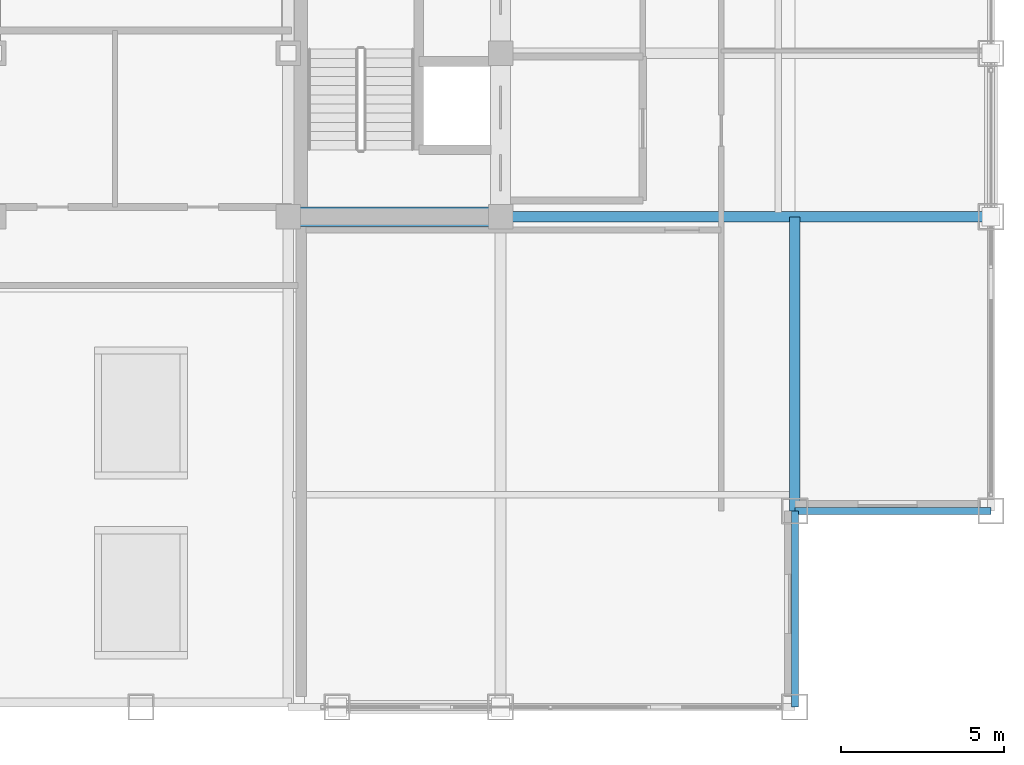
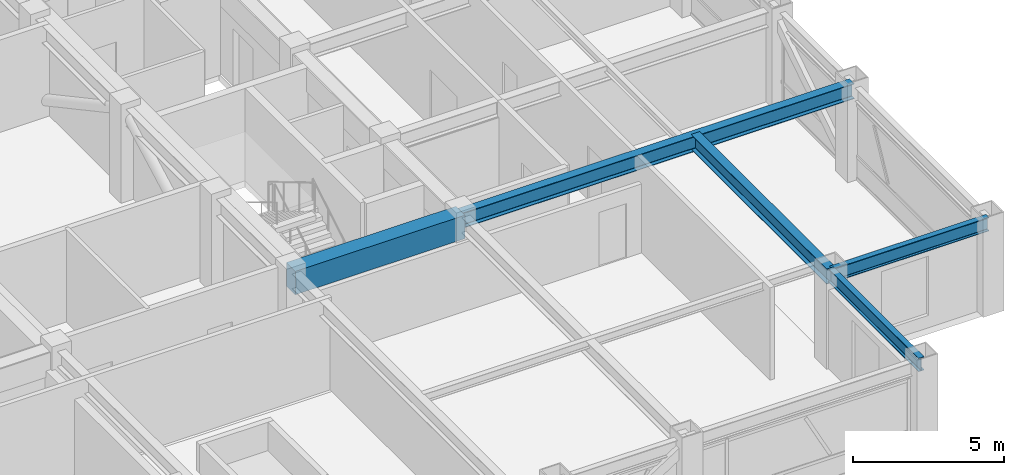
# One storey, part 11 of 29: 5 beams.
"""IFC4 building model written with IfcOpenShell, lengths in metres."""

from ifc_helpers import new_model, si_unit, direction, frame, origin, origin_2d, place, context, subcontext, project, spatial, rectangle, i_section, extrude, source, transform, mapped, material, material_profile, profile_set, type_object, element, save


model = new_model("IFC4")

# Units and contexts
model_context = context("Model", 3, precision=1e-05, world=origin(), true_north=direction((0.0, 1.0)))
body_context = subcontext(model_context, "Body", "Model", "MODEL_VIEW")
ifc_project = project(units=[si_unit("LENGTHUNIT", "METRE"), si_unit("AREAUNIT", "SQUARE_METRE"), si_unit("VOLUMEUNIT", "CUBIC_METRE"), si_unit("PLANEANGLEUNIT", "RADIAN"), si_unit("MASSUNIT", "GRAM", prefix="KILO")], contexts=[model_context])

# Site, building, storey
site_placement = place(None, origin())
site = spatial("IfcSite", under=ifc_project, at=site_placement, CompositionType="ELEMENT")
building_placement = place(site_placement, origin())
building = spatial("IfcBuilding", under=site, at=building_placement, Name="Khorayat Bourse Tower", CompositionType="ELEMENT")
storey_placement = place(building_placement, frame((0.0, 0.0, 346.300048828125)))
storey = spatial("IfcBuildingStorey", under=building, at=storey_placement, Name="L82", CompositionType="ELEMENT", Elevation=346.300048828125)

# Beams
ifc_material_1 = material(Name="Concrete C60/75", Category="concrete")
ifc_material_profile_1 = material_profile(ifc_material_1, rectangle(XDim=0.60009765625, YDim=0.949951171875, at=origin_2d()), Name="RC 600x950")
ifc_profile_set_1 = profile_set([ifc_material_profile_1], Name="Concrete C60/75")
beam_type_1 = type_object("IfcBeamType", Name="BM-COUP-950", PredefinedType="BEAM", material=ifc_profile_set_1)
shared_shape_1 = source(origin(), body_context, "Body", "SweptSolid", [
    extrude(rectangle(XDim=0.60009765625, YDim=0.949951171875, at=origin_2d()), origin(), (0.0, 0.0, 1.0), 6.5),
])
beam_1_placement = place(storey_placement, frame((4.5, -11.0, 3.264892578125), z_axis=(1.0, 0.0, 0.0), x_axis=(0.0, 1.0, 0.0)))
element("IfcBeam", 1, at=beam_1_placement, inside=storey, type_object=beam_type_1, Name="L82 BM-COUP-950 BM-L82-CRY-18", PredefinedType="BEAM", context=body_context, shape_type="MappedRepresentation", body=[
    mapped(shared_shape_1, transform((0.0, 0.0, 0.0), scale=1.0)),
])
ifc_material_2 = material(Name="Steel ASTM A992 Grade 50", Category="steel")
ifc_material_profile_2 = material_profile(ifc_material_2, i_section(OverallWidth=0.214111328125, OverallDepth=0.549072265625, WebThickness=0.0146484375, FlangeThickness=0.023681640625, FilletRadius=0.013916015625, at=origin_2d()), Name="W530X138")
ifc_profile_set_2 = profile_set([ifc_material_profile_2], Name="Steel ASTM A992 Grade 50")
beam_type_2 = type_object("IfcBeamType", Name="BM-SPAN-530", PredefinedType="SPANDREL", material=ifc_profile_set_2)
shared_shape_2 = source(origin(), body_context, "Body", "SweptSolid", [
    extrude(i_section(OverallWidth=0.214111328125, OverallDepth=0.549072265625, WebThickness=0.0146484375, FlangeThickness=0.023681640625, FilletRadius=0.013916015625, at=origin_2d()), origin(), (0.0, 0.0, 1.0), 6.0),
])
for number, where, z_axis, x_axis, name in (
    (2, (20.0, -26.0, 3.46533203125), (0.0, 1.0, 0.0), (-1.0, 0.0, 0.0), "L82 BM-SPAN-530 BM-L82-SPN-027"),
    (3, (20.0, -20.0, 3.46533203125), (1.0, 0.0, 0.0), (0.0, 1.0, 0.0), "L82 BM-SPAN-530 BM-L82-SPN-028"),
):
    element("IfcBeam", number, at=place(storey_placement, frame(where, z_axis=z_axis, x_axis=x_axis)), inside=storey, type_object=beam_type_2, Name=name, PredefinedType="SPANDREL", context=body_context, shape_type="MappedRepresentation", body=[
        mapped(shared_shape_2, transform((0.0, 0.0, 0.0), scale=1.0)),
    ])
ifc_material_profile_3 = material_profile(ifc_material_2, i_section(OverallWidth=0.324951171875, OverallDepth=0.615966796875, WebThickness=0.013916015625, FlangeThickness=0.021484375, FilletRadius=0.01611328125, at=origin_2d()), Name="W610X174")
ifc_profile_set_3 = profile_set([ifc_material_profile_3], Name="Steel ASTM A992 Grade 50")
beam_type_3 = type_object("IfcBeamType", Name="BM-GIRD-610", PredefinedType="BEAM", material=ifc_profile_set_3)
shared_shape_3 = source(origin(), body_context, "Body", "SweptSolid", [
    extrude(i_section(OverallWidth=0.324951171875, OverallDepth=0.615966796875, WebThickness=0.013916015625, FlangeThickness=0.021484375, FilletRadius=0.01611328125, at=origin_2d()), origin(), (0.0, 0.0, 1.0), 15.0),
])
beam_2_placement = place(storey_placement, frame((11.0, -11.0, 3.431884765625), z_axis=(1.0, 0.0, 0.0), x_axis=(0.0, 1.0, 0.0)))
element("IfcBeam", 4, at=beam_2_placement, inside=storey, type_object=beam_type_3, Name="L82 BM-GIRD-610 BM-L82-RADX-061", PredefinedType="BEAM", context=body_context, shape_type="MappedRepresentation", body=[
    mapped(shared_shape_3, transform((0.0, 0.0, 0.0), scale=1.0)),
])
shared_shape_4 = source(origin(), body_context, "Body", "SweptSolid", [
    extrude(i_section(OverallWidth=0.324951171875, OverallDepth=0.615966796875, WebThickness=0.013916015625, FlangeThickness=0.021484375, FilletRadius=0.01611328125, at=origin_2d()), origin(), (0.0, 0.0, 1.0), 9.0),
])
beam_3_placement = place(storey_placement, frame((20.0, -20.0, 3.431884765625), z_axis=(0.0, 1.0, 0.0), x_axis=(-1.0, 0.0, 0.0)))
element("IfcBeam", 5, at=beam_3_placement, inside=storey, type_object=beam_type_3, Name="L82 BM-GIRD-610 BM-L82-CNRY-073", PredefinedType="BEAM", context=body_context, shape_type="MappedRepresentation", body=[
    mapped(shared_shape_4, transform((0.0, 0.0, 0.0), scale=1.0)),
])

save(model, "model.ifc")
